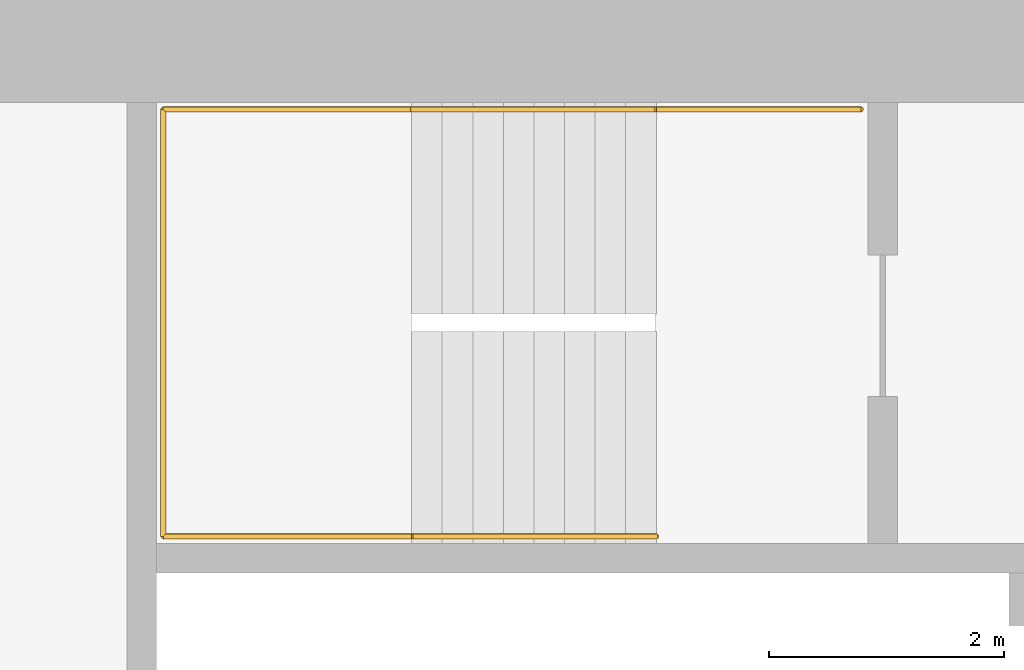
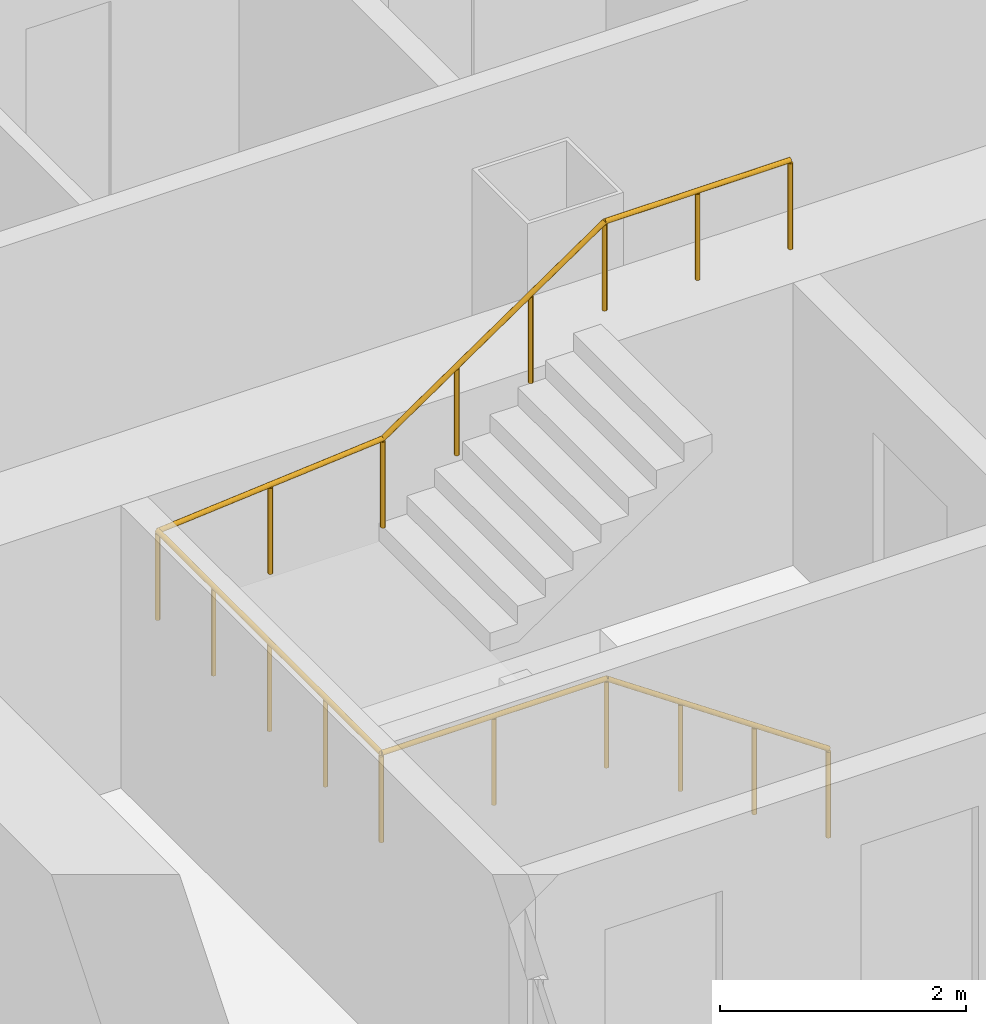
# One storey, part 29 of 34: 1 railing.
"""IFC4 building model written with IfcOpenShell, lengths in metres."""

from ifc_helpers import new_model, si_unit, direction, frame, origin, origin_2d, place, context, subcontext, project, spatial, circle, extrude, material, type_object, element, save


model = new_model("IFC4")

# Units and contexts
model_context = context("Model", 3, precision=1e-05, world=origin(), true_north=direction((0.0, 1.0)))
body_context = subcontext(model_context, "Body", "Model", "MODEL_VIEW")
ifc_project = project(units=[si_unit("LENGTHUNIT", "METRE"), si_unit("AREAUNIT", "SQUARE_METRE"), si_unit("VOLUMEUNIT", "CUBIC_METRE"), si_unit("PLANEANGLEUNIT", "RADIAN"), si_unit("MASSUNIT", "GRAM", prefix="KILO")], contexts=[model_context])

# Site, building, storey
site_placement = place(None, origin())
site = spatial("IfcSite", under=ifc_project, at=site_placement, CompositionType="ELEMENT")
building_placement = place(site_placement, origin())
building = spatial("IfcBuilding", under=site, at=building_placement, Name="Hakoniwa Tower and Hamabe Station Hall", CompositionType="ELEMENT")
storey_placement = place(building_placement, frame((0.0, 0.0, 107.39990234375)))
storey = spatial("IfcBuildingStorey", under=building, at=storey_placement, Name="L30", CompositionType="ELEMENT", Elevation=107.39990234375)

# Railing
ifc_material = material(Name="Stainless steel SUS304", Category="steel")
railing_type = type_object("IfcRailingType", Name="STAIR HANDRAIL 900", PredefinedType="HANDRAIL", material=ifc_material)
railing_placement = place(storey_placement, frame((24.39990234375, 3.81005859375, 0.177978515625)))
element("IfcRailing", 1, at=railing_placement, inside=storey, type_object=railing_type, Name="Handrail ST-3 L30 1", PredefinedType="HANDRAIL", context=body_context, shape_type="SweptSolid", body=[
    extrude(circle(Radius=0.02392578125, at=origin_2d()), frame((0.0, 0.0, 0.8759765625), z_axis=(-0.825478349766, 0.0, 0.564433781827), x_axis=(0.0, -1.0, 0.0)), (0.0, 0.0, 1.0), 2.51953125),
    extrude(circle(Radius=0.02392578125, at=origin_2d()), frame((-2.079833984375, 0.0, 2.2978515625), z_axis=(-1.0, 0.0, 0.0), x_axis=(0.0, -1.0, 0.0)), (0.0, 0.0, 1.0), 2.110107421875),
    extrude(circle(Radius=0.02392578125, at=origin_2d()), frame((-4.18994140625, 0.0, 2.2978515625), z_axis=(0.0, 1.0, 0.0), x_axis=(-1.0, 0.0, 0.0)), (0.0, 0.0, 1.0), 3.6298828125),
    extrude(circle(Radius=0.02392578125, at=origin_2d()), frame((-4.18994140625, 3.6298828125, 2.2978515625), z_axis=(0.996471417081, 0.0, 0.083932800143), x_axis=(0.0, 1.0, 0.0)), (0.0, 0.0, 1.0), 2.11767578125),
    extrude(circle(Radius=0.02392578125, at=origin_2d()), frame((-2.079833984375, 3.6298828125, 2.4755859375), z_axis=(0.825433201882, 0.0, 0.564499804456), x_axis=(0.0, 1.0, 0.0)), (0.0, 0.0, 1.0), 2.519775390625),
    extrude(circle(Radius=0.02392578125, at=origin_2d()), frame((0.0, 3.6298828125, 3.89794921875), z_axis=(1.0, 0.0, 0.0), x_axis=(0.0, 1.0, 0.0)), (0.0, 0.0, 1.0), 1.739990234375),
    extrude(circle(Radius=0.02099609375, at=origin_2d()), origin(), (0.0, 0.0, 1.0), 0.851806640625),
    extrude(circle(Radius=0.02099609375, at=origin_2d()), frame((-0.693359375, 0.0, 0.47412109375)), (0.0, 0.0, 1.0), 0.851806640625),
    extrude(circle(Radius=0.02099609375, at=origin_2d()), frame((-1.386474609375, 0.0, 0.947998046875)), (0.0, 0.0, 1.0), 0.851806640625),
    extrude(circle(Radius=0.02099609375, at=origin_2d()), frame((-2.079833984375, 0.0, 1.422119140625)), (0.0, 0.0, 1.0), 0.851806640625),
    extrude(circle(Radius=0.02099609375, at=origin_2d()), frame((-3.134765625, 0.0, 1.422119140625)), (0.0, 0.0, 1.0), 0.851806640625),
    extrude(circle(Radius=0.02099609375, at=origin_2d()), frame((-4.18994140625, 0.0, 1.422119140625)), (0.0, 0.0, 1.0), 0.851806640625),
    extrude(circle(Radius=0.02099609375, at=origin_2d()), frame((-4.18994140625, 0.907470703125, 1.422119140625)), (0.0, 0.0, 1.0), 0.851806640625),
    extrude(circle(Radius=0.02099609375, at=origin_2d()), frame((-4.18994140625, 1.81494140625, 1.422119140625)), (0.0, 0.0, 1.0), 0.851806640625),
    extrude(circle(Radius=0.02099609375, at=origin_2d()), frame((-4.18994140625, 2.722412109375, 1.422119140625)), (0.0, 0.0, 1.0), 0.851806640625),
    extrude(circle(Radius=0.02099609375, at=origin_2d()), frame((-4.18994140625, 3.6298828125, 1.422119140625)), (0.0, 0.0, 1.0), 0.851806640625),
    extrude(circle(Radius=0.02099609375, at=origin_2d()), frame((-3.134765625, 3.6298828125, 1.510986328125)), (0.0, 0.0, 1.0), 0.851806640625),
    extrude(circle(Radius=0.02099609375, at=origin_2d()), frame((-2.079833984375, 3.6298828125, 1.599853515625)), (0.0, 0.0, 1.0), 0.851806640625),
    extrude(circle(Radius=0.02099609375, at=origin_2d()), frame((-1.386474609375, 3.6298828125, 2.073974609375)), (0.0, 0.0, 1.0), 0.851806640625),
    extrude(circle(Radius=0.02099609375, at=origin_2d()), frame((-0.693359375, 3.6298828125, 2.548095703125)), (0.0, 0.0, 1.0), 0.851806640625),
    extrude(circle(Radius=0.02099609375, at=origin_2d()), frame((0.0, 3.6298828125, 3.022216796875)), (0.0, 0.0, 1.0), 0.851806640625),
    extrude(circle(Radius=0.02099609375, at=origin_2d()), frame((0.8701171875, 3.6298828125, 3.022216796875)), (0.0, 0.0, 1.0), 0.851806640625),
    extrude(circle(Radius=0.02099609375, at=origin_2d()), frame((1.739990234375, 3.6298828125, 3.022216796875)), (0.0, 0.0, 1.0), 0.851806640625),
])

save(model, "model.ifc")
